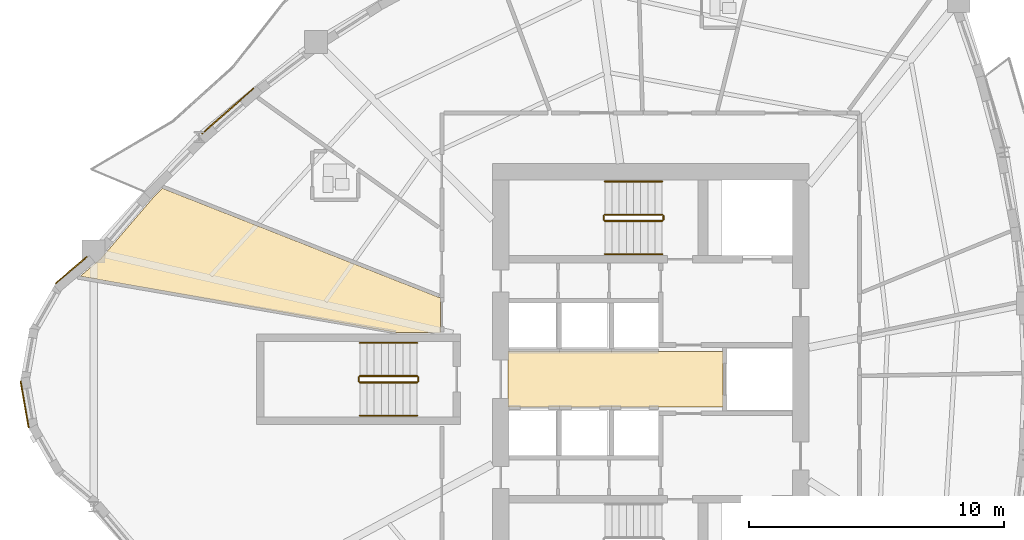
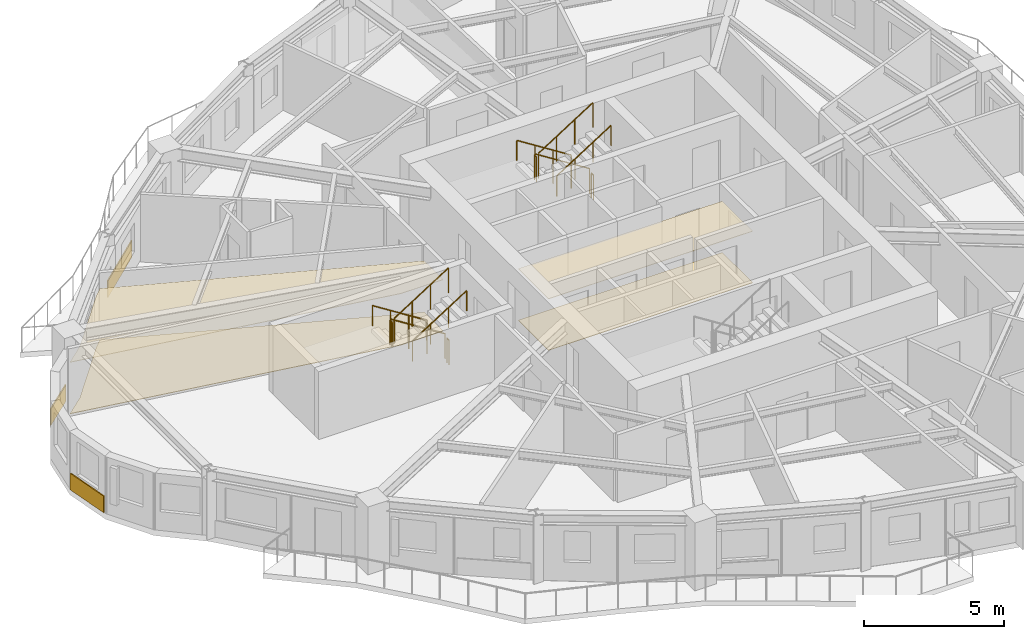
# One storey, part 10 of 12: 12 railings, 7 coverings.
"""IFC4 building model written with IfcOpenShell, lengths in metres."""

from ifc_helpers import new_model, si_unit, direction, frame, origin, origin_2d, place, context, subcontext, project, spatial, polyline, rectangle, circle, outline, extrude, source, transform, mapped, material, layer, layer_set, type_object, element, save


model = new_model("IFC4")

# Units and contexts
model_context = context("Model", 3, precision=1e-05, world=origin(), true_north=direction((0.0, 1.0)))
body_context = subcontext(model_context, "Body", "Model", "MODEL_VIEW")
ifc_project = project(units=[si_unit("LENGTHUNIT", "METRE"), si_unit("AREAUNIT", "SQUARE_METRE"), si_unit("VOLUMEUNIT", "CUBIC_METRE"), si_unit("PLANEANGLEUNIT", "RADIAN"), si_unit("MASSUNIT", "GRAM", prefix="KILO")], contexts=[model_context])

# Site, building, storey
site_placement = place(None, origin())
site = spatial("IfcSite", under=ifc_project, at=site_placement, CompositionType="ELEMENT")
building_placement = place(site_placement, origin())
building = spatial("IfcBuilding", under=site, at=building_placement, Name="Qafzar Sky-Pleat Residences", CompositionType="ELEMENT")
storey_placement = place(building_placement, frame((0.0, 0.0, 121.60009765625)))
storey = spatial("IfcBuildingStorey", under=building, at=storey_placement, Name="L36", CompositionType="ELEMENT", Elevation=121.60009765625)

# Coverings
ifc_material_1 = material(Name="Perforated acoustic gypsum board ceiling")
ifc_layer_1 = layer(ifc_material_1, 0.02001953125)
ifc_layer_set_1 = layer_set([ifc_layer_1], Name="Perforated acoustic gypsum board ceiling")
covering_type_1 = type_object("IfcCoveringType", Name="COV-CEIL-ACOUSTIC", PredefinedType="CEILING", material=ifc_layer_set_1)
covering_1_placement = place(storey_placement, frame((0.0, 0.0, 2.239990234375)))
element("IfcCovering", 1, at=covering_1_placement, inside=storey, type_object=covering_type_1, Name="L36 Passenger Lift Lobby Acoustic Ceiling", PredefinedType="CEILING", context=body_context, shape_type="SweptSolid", body=[
    extrude(outline(polyline([(33.179931640625, 24.919921875), (24.77001953125, 24.919921875), (24.77001953125, 27.080078125), (33.179931640625, 27.080078125), (33.179931640625, 24.919921875)])), origin(), (0.0, 0.0, 1.0), 0.02001953125),
])
covering_2_placement = place(storey_placement, frame((0.0, 0.0, 2.239990234375)))
element("IfcCovering", 2, at=covering_2_placement, inside=storey, type_object=covering_type_1, Name="L36 Common Dining Room Acoustic Ceiling", PredefinedType="CEILING", context=body_context, shape_type="SweptSolid", body=[
    extrude(outline(polyline([(22.110107421875, 27.8349609375), (20.379150390625, 27.8349609375), (8.004150390625, 30.036865234375), (8.804931640625, 30.71923828125), (10.82373046875, 33.074951171875), (11.221435546875, 33.478515625), (22.110107421875, 29.184814453125), (22.110107421875, 27.8349609375)])), origin(), (0.0, 0.0, 1.0), 0.02001953125),
])
ifc_material_2 = material(Name="Honed porcelain and Riyadh stone tile flooring", Category="masonry")
ifc_layer_2 = layer(ifc_material_2, 0.02001953125)
ifc_layer_set_2 = layer_set([ifc_layer_2], Name="Honed porcelain and Riyadh stone tile flooring")
covering_type_2 = type_object("IfcCoveringType", Name="COV-FLR-PORCELAIN", PredefinedType="FLOORING", material=ifc_layer_set_2)
covering_3_placement = place(storey_placement, origin())
element("IfcCovering", 3, at=covering_3_placement, inside=storey, type_object=covering_type_2, Name="L36 Passenger Lift Lobby Honed Stone Flooring", PredefinedType="FLOORING", context=body_context, shape_type="SweptSolid", body=[
    extrude(outline(polyline([(33.179931640625, 24.919921875), (24.77001953125, 24.919921875), (24.77001953125, 27.080078125), (33.179931640625, 27.080078125), (33.179931640625, 24.919921875)])), origin(), (0.0, 0.0, 1.0), 0.02001953125),
])
covering_4_placement = place(storey_placement, origin())
element("IfcCovering", 4, at=covering_4_placement, inside=storey, type_object=covering_type_2, Name="L36 Common Dining Room Honed Stone Flooring", PredefinedType="FLOORING", context=body_context, shape_type="SweptSolid", body=[
    extrude(outline(polyline([(22.110107421875, 27.8349609375), (20.379150390625, 27.8349609375), (8.004150390625, 30.036865234375), (8.804931640625, 30.71923828125), (10.82373046875, 33.074951171875), (11.221435546875, 33.478515625), (22.110107421875, 29.184814453125), (22.110107421875, 27.8349609375)])), origin(), (0.0, 0.0, 1.0), 0.02001953125),
])
ifc_material_3 = material(Name="Honed Riyadh Tuwaiq limestone cladding", Category="masonry")
ifc_layer_3 = layer(ifc_material_3, 0.044921875)
ifc_layer_set_3 = layer_set([ifc_layer_3], Name="Honed Riyadh Tuwaiq limestone cladding")
covering_type_3 = type_object("IfcCoveringType", Name="COV-CLAD-STONE", PredefinedType="CLADDING", material=ifc_layer_set_3)
shared_shape_1 = source(origin(), body_context, "Body", "SweptSolid", [
    extrude(rectangle(XDim=1.62451171875, YDim=0.044921875, at=origin_2d()), origin(), (0.0, 0.0, 1.0), 0.719970703125),
])
covering_5_placement = place(storey_placement, frame((7.652587890625, 30.2783203125, 0.02001953125), z_axis=(0.0, 0.0, 1.0), x_axis=(-0.761154082005, -0.648571093595, 0.0)))
element("IfcCovering", 5, at=covering_5_placement, inside=storey, type_object=covering_type_3, Name="L36 Riyadh Limestone Spandrel Cladding 1", PredefinedType="CLADDING", context=body_context, shape_type="MappedRepresentation", body=[
    mapped(shared_shape_1, transform((0.0, 0.0, 0.0), x_axis=(1.0, 0.0, 0.0), y_axis=(0.0, 1.0, 0.0), z_axis=(0.0, 0.0, 1.0), scale=1.0)),
])
shared_shape_2 = source(origin(), body_context, "Body", "SweptSolid", [
    extrude(rectangle(XDim=1.865478515625, YDim=0.044921875, at=origin_2d()), origin(), (0.0, 0.0, 1.0), 0.719970703125),
])
covering_6_placement = place(storey_placement, frame((5.82470703125, 25.0126953125, 0.02001953125), z_axis=(0.0, 0.0, 1.0), x_axis=(0.172169696941, -0.985067305038, 0.0)))
element("IfcCovering", 6, at=covering_6_placement, inside=storey, type_object=covering_type_3, Name="L36 Riyadh Limestone Spandrel Cladding 4", PredefinedType="CLADDING", context=body_context, shape_type="MappedRepresentation", body=[
    mapped(shared_shape_2, transform((0.0, 0.0, 0.0), x_axis=(1.0, 0.0, 0.0), y_axis=(0.0, 1.0, 0.0), z_axis=(0.0, 0.0, 1.0), scale=1.0)),
])
shared_shape_3 = source(origin(), body_context, "Body", "SweptSolid", [
    extrude(rectangle(XDim=2.690673828125, YDim=0.044921875, at=origin_2d()), origin(), (0.0, 0.0, 1.0), 0.719970703125),
])
covering_7_placement = place(storey_placement, frame((13.780517578125, 36.506591796875, 0.02001953125), z_axis=(0.0, 0.0, 1.0), x_axis=(-0.751446292476, -0.659794263027, 0.0)))
element("IfcCovering", 7, at=covering_7_placement, inside=storey, type_object=covering_type_3, Name="L36 Riyadh Limestone Spandrel Cladding 46", PredefinedType="CLADDING", context=body_context, shape_type="MappedRepresentation", body=[
    mapped(shared_shape_3, transform((0.0, 0.0, 0.0), x_axis=(1.0, 0.0, 0.0), y_axis=(0.0, 1.0, 0.0), z_axis=(0.0, 0.0, 1.0), scale=1.0)),
])

# Railings
ifc_material_4 = material(Name="Painted Steel S355 stair guardrail", Category="steel")
railing_type_1 = type_object("IfcRailingType", Name="RAIL-STAIR-GUARD", PredefinedType="GUARDRAIL", material=ifc_material_4)
shared_shape_4 = source(origin(), body_context, "Body", "SweptSolid", [
    extrude(circle(Radius=0.02392578125, at=origin_2d()), frame((0.0, 0.0, 1.076171875), z_axis=(0.0, -1.0, 0.0), x_axis=(1.0, 0.0, 0.0)), (0.0, 0.0, 1.0), 0.14990234375),
    extrude(circle(Radius=0.02099609375, at=origin_2d()), origin(), (0.0, 0.0, 1.0), 1.052001953125),
    extrude(circle(Radius=0.02099609375, at=origin_2d()), frame((0.0, -0.14990234375, 0.0)), (0.0, 0.0, 1.0), 1.052001953125),
])
for number, where, name in (
    (8, (28.510009765625, 32.39990234375, 1.599853515625), "L36 ST2 stair guard 2"),
    (9, (30.85009765625, 32.39990234375, 0.0), "L36 ST2 stair guard 4"),
    (10, (18.909912109375, 26.074951171875, 1.599853515625), "L36 ST3 stair guard 2"),
    (11, (21.25, 26.074951171875, 0.0), "L36 ST3 stair guard 4"),
):
    element("IfcRailing", number, at=place(storey_placement, frame(where)), inside=storey, type_object=railing_type_1, Name=name, PredefinedType="GUARDRAIL", context=body_context, shape_type="MappedRepresentation", body=[
        mapped(shared_shape_4, transform((0.0, 0.0, 0.0), x_axis=(1.0, 0.0, 0.0), y_axis=(0.0, 1.0, 0.0), z_axis=(0.0, 0.0, 1.0), scale=1.0)),
    ])
shared_shape_5 = source(origin(), body_context, "Body", "SweptSolid", [
    extrude(circle(Radius=0.02392578125, at=origin_2d()), frame((0.0, 0.0, 1.076171875), z_axis=(-0.8442293374, 0.0, 0.53598211339), x_axis=(0.0, -1.0, 0.0)), (0.0, 0.0, 1.0), 2.6533203125),
    extrude(circle(Radius=0.02099609375, at=origin_2d()), origin(), (0.0, 0.0, 1.0), 1.052001953125),
    extrude(circle(Radius=0.02099609375, at=origin_2d()), frame((-0.74658203125, 0.0, 0.47412109375)), (0.0, 0.0, 1.0), 1.052001953125),
    extrude(circle(Radius=0.02099609375, at=origin_2d()), frame((-1.493408203125, 0.0, 0.947998046875)), (0.0, 0.0, 1.0), 1.052001953125),
    extrude(circle(Radius=0.02099609375, at=origin_2d()), frame((-2.239990234375, 0.0, 1.422119140625)), (0.0, 0.0, 1.0), 1.052001953125),
])
for number, where, name in (
    (12, (30.800048828125, 32.449951171875, 0.177734375), "L36 ST2 stair guard 1"),
    (13, (21.199951171875, 26.125, 0.177734375), "L36 ST3 stair guard 1"),
):
    element("IfcRailing", number, at=place(storey_placement, frame(where)), inside=storey, type_object=railing_type_1, Name=name, PredefinedType="GUARDRAIL", context=body_context, shape_type="MappedRepresentation", body=[
        mapped(shared_shape_5, transform((0.0, 0.0, 0.0), x_axis=(1.0, 0.0, 0.0), y_axis=(0.0, 1.0, 0.0), z_axis=(0.0, 0.0, 1.0), scale=1.0)),
    ])
ifc_material_5 = material(Name="Brushed stainless steel handrail", Category="steel")
railing_type_2 = type_object("IfcRailingType", Name="RAIL-STAIR-HAND", PredefinedType="HANDRAIL", material=ifc_material_5)
shared_shape_6 = source(origin(), body_context, "Body", "SweptSolid", [
    extrude(circle(Radius=0.02392578125, at=origin_2d()), frame((0.0, 0.0, 0.8759765625), z_axis=(-0.8442293374, 0.0, 0.53598211339), x_axis=(0.0, -1.0, 0.0)), (0.0, 0.0, 1.0), 2.6533203125),
    extrude(circle(Radius=0.02099609375, at=origin_2d()), origin(), (0.0, 0.0, 1.0), 0.851806640625),
    extrude(circle(Radius=0.02099609375, at=origin_2d()), frame((-0.74658203125, 0.0, 0.47412109375)), (0.0, 0.0, 1.0), 0.851806640625),
    extrude(circle(Radius=0.02099609375, at=origin_2d()), frame((-1.493408203125, 0.0, 0.947998046875)), (0.0, 0.0, 1.0), 0.851806640625),
    extrude(circle(Radius=0.02099609375, at=origin_2d()), frame((-2.239990234375, 0.0, 1.422119140625)), (0.0, 0.0, 1.0), 0.851806640625),
])
for number, where, name in (
    (14, (30.800048828125, 33.75, 0.177734375), "L36 ST2 stair handrail 1"),
    (15, (21.199951171875, 27.425048828125, 0.177734375), "L36 ST3 stair handrail 1"),
):
    element("IfcRailing", number, at=place(storey_placement, frame(where)), inside=storey, type_object=railing_type_2, Name=name, PredefinedType="HANDRAIL", context=body_context, shape_type="MappedRepresentation", body=[
        mapped(shared_shape_6, transform((0.0, 0.0, 0.0), x_axis=(1.0, 0.0, 0.0), y_axis=(0.0, 1.0, 0.0), z_axis=(0.0, 0.0, 1.0), scale=1.0)),
    ])
shared_shape_7 = source(origin(), body_context, "Body", "SweptSolid", [
    extrude(circle(Radius=0.02392578125, at=origin_2d()), frame((0.0, 0.0, 1.076171875), z_axis=(0.84418770128, 0.0, 0.536047689118), x_axis=(0.0, 1.0, 0.0)), (0.0, 0.0, 1.0), 2.6533203125),
    extrude(circle(Radius=0.02099609375, at=origin_2d()), origin(), (0.0, 0.0, 1.0), 1.052001953125),
    extrude(circle(Radius=0.02099609375, at=origin_2d()), frame((0.74658203125, 0.0, 0.47412109375)), (0.0, 0.0, 1.0), 1.052001953125),
    extrude(circle(Radius=0.02099609375, at=origin_2d()), frame((1.493408203125, 0.0, 0.9482421875)), (0.0, 0.0, 1.0), 1.052001953125),
    extrude(circle(Radius=0.02099609375, at=origin_2d()), frame((2.239990234375, 0.0, 1.42236328125)), (0.0, 0.0, 1.0), 1.052001953125),
])
for number, where, name in (
    (16, (28.56005859375, 32.199951171875, 1.777587890625), "L36 ST2 stair guard 3"),
    (17, (18.9599609375, 25.875, 1.777587890625), "L36 ST3 stair guard 3"),
):
    element("IfcRailing", number, at=place(storey_placement, frame(where)), inside=storey, type_object=railing_type_1, Name=name, PredefinedType="GUARDRAIL", context=body_context, shape_type="MappedRepresentation", body=[
        mapped(shared_shape_7, transform((0.0, 0.0, 0.0), x_axis=(1.0, 0.0, 0.0), y_axis=(0.0, 1.0, 0.0), z_axis=(0.0, 0.0, 1.0), scale=1.0)),
    ])
shared_shape_8 = source(origin(), body_context, "Body", "SweptSolid", [
    extrude(circle(Radius=0.02392578125, at=origin_2d()), frame((0.0, 0.0, 0.8759765625), z_axis=(0.84418770128, 0.0, 0.536047689118), x_axis=(0.0, 1.0, 0.0)), (0.0, 0.0, 1.0), 2.6533203125),
    extrude(circle(Radius=0.02099609375, at=origin_2d()), origin(), (0.0, 0.0, 1.0), 0.851806640625),
    extrude(circle(Radius=0.02099609375, at=origin_2d()), frame((0.74658203125, 0.0, 0.47412109375)), (0.0, 0.0, 1.0), 0.851806640625),
    extrude(circle(Radius=0.02099609375, at=origin_2d()), frame((1.493408203125, 0.0, 0.9482421875)), (0.0, 0.0, 1.0), 0.851806640625),
    extrude(circle(Radius=0.02099609375, at=origin_2d()), frame((2.239990234375, 0.0, 1.42236328125)), (0.0, 0.0, 1.0), 0.851806640625),
])
for number, where, name in (
    (18, (28.56005859375, 30.89990234375, 1.777587890625), "L36 ST2 stair handrail 2"),
    (19, (18.9599609375, 24.574951171875, 1.777587890625), "L36 ST3 stair handrail 2"),
):
    element("IfcRailing", number, at=place(storey_placement, frame(where)), inside=storey, type_object=railing_type_2, Name=name, PredefinedType="HANDRAIL", context=body_context, shape_type="MappedRepresentation", body=[
        mapped(shared_shape_8, transform((0.0, 0.0, 0.0), x_axis=(1.0, 0.0, 0.0), y_axis=(0.0, 1.0, 0.0), z_axis=(0.0, 0.0, 1.0), scale=1.0)),
    ])

save(model, "model.ifc")
